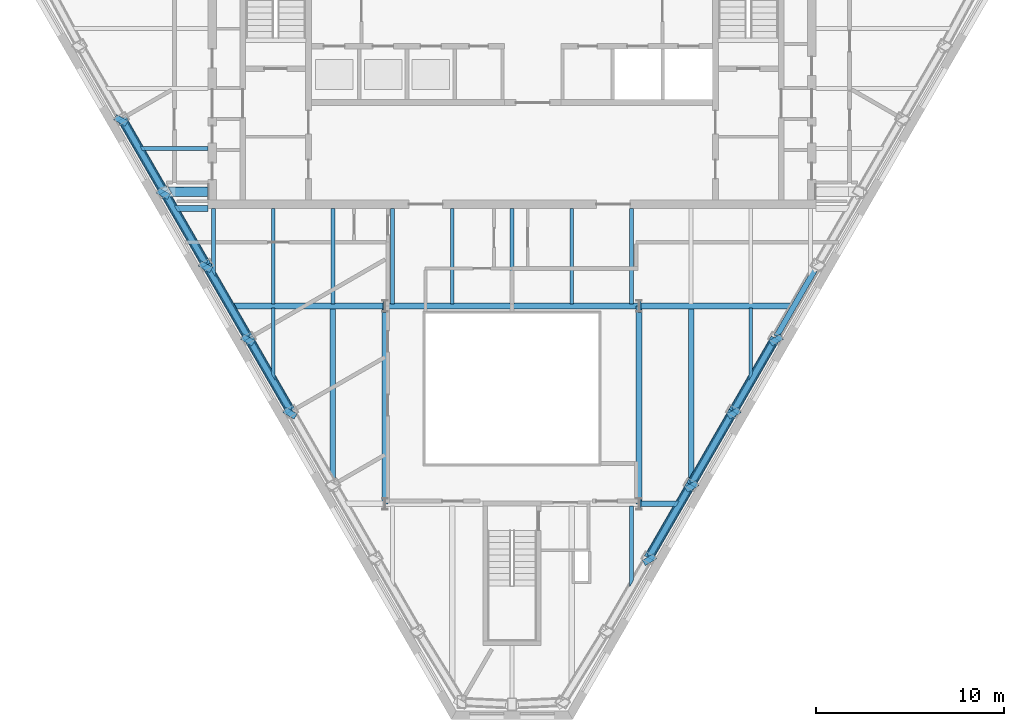
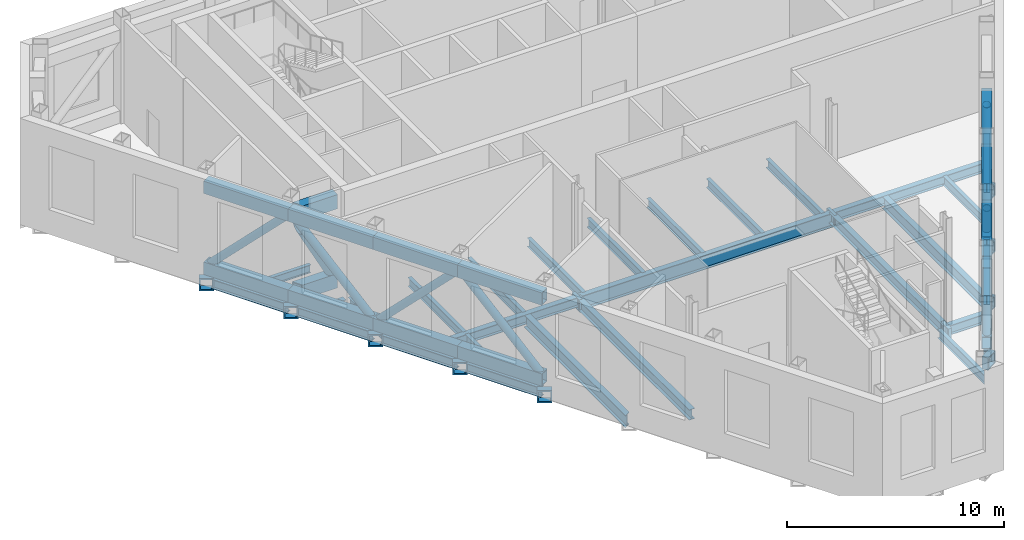
# One storey, part 3 of 14: 41 beams, 24 members.
"""IFC4 building model written with IfcOpenShell, lengths in metres."""

from ifc_helpers import new_model, si_unit, direction, frame, origin, origin_2d, place, context, subcontext, project, spatial, hollow_rectangle, hollow_circle, i_section, extrude, clip, halfspace, material, material_profile, profile_set, type_object, element, save


model = new_model("IFC4")

# Units and contexts
model_context = context("Model", 3, precision=1e-05, world=origin(), true_north=direction((0.0, 1.0)))
body_context = subcontext(model_context, "Body", "Model", "MODEL_VIEW")
ifc_project = project(units=[si_unit("LENGTHUNIT", "METRE"), si_unit("AREAUNIT", "SQUARE_METRE"), si_unit("VOLUMEUNIT", "CUBIC_METRE"), si_unit("PLANEANGLEUNIT", "RADIAN"), si_unit("MASSUNIT", "GRAM", prefix="KILO")], contexts=[model_context])

# Site, building, storey
site_placement = place(None, origin())
site = spatial("IfcSite", under=ifc_project, at=site_placement, CompositionType="ELEMENT")
building_placement = place(site_placement, origin())
building = spatial("IfcBuilding", under=site, at=building_placement, Name="Njiva Tower", CompositionType="ELEMENT")
storey_placement = place(building_placement, frame((0.0, 0.0, 239.4)))
storey = spatial("IfcBuildingStorey", under=building, at=storey_placement, Name="L54", CompositionType="ELEMENT", Elevation=239.4)

# Beams
ifc_material_1 = material(Name="Steel S355 J2", Category="steel")
ifc_material_profile_1 = material_profile(ifc_material_1, hollow_rectangle(XDim=0.7, YDim=0.7, WallThickness=0.08, at=origin_2d()), Name="BOX 700x700x80")
ifc_profile_set_1 = profile_set([ifc_material_profile_1], Name="Steel S355 J2")
beam_type_1 = type_object("IfcBeamType", Name="B19 Column jog beam BOX 700x700x80", PredefinedType="BEAM", material=ifc_profile_set_1)
for number, where, z_axis, x_axis, name in (
    (1, (-20.934, 6.557, -0.55), (0.488509809828, 0.872558402459, 0.0), (-0.872558402459, 0.488509809828, 0.0), "Column jog beam T4-B020"),
    (2, (-18.68, 2.654, -0.55), (0.488509809828, 0.872558402459, 0.0), (-0.872558402459, 0.488509809828, 0.0), "Column jog beam T4-B021"),
):
    element("IfcBeam", number, at=place(storey_placement, frame(where, z_axis=z_axis, x_axis=x_axis)), inside=storey, type_object=beam_type_1, Name=name, PredefinedType="BEAM", context=body_context, shape_type="SweptSolid", body=[
        extrude(hollow_rectangle(XDim=0.7, YDim=0.7, WallThickness=0.08, at=origin_2d()), origin(), (0.0, 0.0, 1.0), 0.3255),
    ])
beam_1_placement = place(storey_placement, frame((-16.428, -1.248, -0.55), z_axis=(0.498124460568, 0.867105542471, 0.0), x_axis=(-0.867105542471, 0.498124460568, 0.0)))
element("IfcBeam", 3, at=beam_1_placement, inside=storey, type_object=beam_type_1, Name="Column jog beam T4-B022", PredefinedType="BEAM", context=body_context, shape_type="SweptSolid", body=[
    extrude(hollow_rectangle(XDim=0.7, YDim=0.7, WallThickness=0.08, at=origin_2d()), origin(), (0.0, 0.0, 1.0), 0.3252),
])
for number, where, z_axis, x_axis, name in (
    (4, (-14.175, -5.151, -0.55), (0.501764157718, 0.865004468214, 0.0), (-0.865004468214, 0.501764157718, 0.0), "Column jog beam T4-B023"),
    (5, (-11.921, -9.054, -0.55), (0.501764157718, 0.865004468214, 0.0), (-0.865004468214, 0.501764157718, 0.0), "Column jog beam T4-B024"),
):
    element("IfcBeam", number, at=place(storey_placement, frame(where, z_axis=z_axis, x_axis=x_axis)), inside=storey, type_object=beam_type_1, Name=name, PredefinedType="BEAM", context=body_context, shape_type="SweptSolid", body=[
        extrude(hollow_rectangle(XDim=0.7, YDim=0.7, WallThickness=0.08, at=origin_2d()), origin(), (0.0, 0.0, 1.0), 0.3249),
    ])
beam_2_placement = place(storey_placement, frame((7.416, -16.86, -0.55), z_axis=(-0.511321392938, 0.859389570058, 0.0), x_axis=(-0.859389570058, -0.511321392938, 0.0)))
element("IfcBeam", 6, at=beam_2_placement, inside=storey, type_object=beam_type_1, Name="Column jog beam T4-B036", PredefinedType="BEAM", context=body_context, shape_type="SweptSolid", body=[
    extrude(hollow_rectangle(XDim=0.7, YDim=0.7, WallThickness=0.08, at=origin_2d()), origin(), (0.0, 0.0, 1.0), 0.3246),
])
beam_3_placement = place(storey_placement, frame((9.668, -12.957, -0.55), z_axis=(-0.503103193973, 0.864226345475, 0.0), x_axis=(-0.864226345475, -0.503103193973, 0.0)))
element("IfcBeam", 7, at=beam_3_placement, inside=storey, type_object=beam_type_1, Name="Column jog beam T4-B037", PredefinedType="BEAM", context=body_context, shape_type="SweptSolid", body=[
    extrude(hollow_rectangle(XDim=0.7, YDim=0.7, WallThickness=0.08, at=origin_2d()), origin(), (0.0, 0.0, 1.0), 0.324),
])
for number, where, z_axis, x_axis, name in (
    (8, (11.921, -9.054, -0.55), (-0.501764157718, 0.865004468214, 0.0), (-0.865004468214, -0.501764157718, 0.0), "Column jog beam T4-B038"),
    (9, (14.175, -5.151, -0.55), (-0.501764157718, 0.865004468214, 0.0), (-0.865004468214, -0.501764157718, 0.0), "Column jog beam T4-B039"),
):
    element("IfcBeam", number, at=place(storey_placement, frame(where, z_axis=z_axis, x_axis=x_axis)), inside=storey, type_object=beam_type_1, Name=name, PredefinedType="BEAM", context=body_context, shape_type="SweptSolid", body=[
        extrude(hollow_rectangle(XDim=0.7, YDim=0.7, WallThickness=0.08, at=origin_2d()), origin(), (0.0, 0.0, 1.0), 0.3249),
    ])
for number, where, z_axis, x_axis, name in (
    (10, (6.88, -3.2, -0.55), (-1.0, 0.0, 0.0), (0.0, -1.0, 0.0), "Column jog beam T4-B035"),
    (11, (-6.88, -3.2, -0.55), (1.0, 0.0, 0.0), (0.0, 1.0, 0.0), "Column jog beam T4-B028"),
    (12, (6.88, -13.75, -0.55), (-1.0, 0.0, 0.0), (0.0, -1.0, 0.0), "Column jog beam T4-B034"),
):
    element("IfcBeam", number, at=place(storey_placement, frame(where, z_axis=z_axis, x_axis=x_axis)), inside=storey, type_object=beam_type_1, Name=name, PredefinedType="BEAM", context=body_context, shape_type="SweptSolid", body=[
        extrude(hollow_rectangle(XDim=0.7, YDim=0.7, WallThickness=0.08, at=origin_2d()), origin(), (0.0, 0.0, 1.0), 0.17),
    ])
ifc_material_profile_2 = material_profile(ifc_material_1, i_section(OverallWidth=0.3, OverallDepth=0.69, WebThickness=0.0145, FlangeThickness=0.027, at=origin_2d()), Name="HEA 700")
ifc_profile_set_2 = profile_set([ifc_material_profile_2], Name="Steel S355 J2")
beam_type_2 = type_object("IfcBeamType", Name="B26 Floor joist HEA 700", PredefinedType="JOIST", material=ifc_profile_set_2)
beam_4_placement = place(storey_placement, frame((-9.55, -3.3, -0.545), z_axis=(0.0, -1.0, 0.0), x_axis=(1.0, 0.0, 0.0)))
element("IfcBeam", 13, at=beam_4_placement, inside=storey, type_object=beam_type_2, Name="Floor joist T4-B049", PredefinedType="JOIST", context=body_context, shape_type="Clipping", body=[
    clip(extrude(i_section(OverallWidth=0.3, OverallDepth=0.69, WebThickness=0.0145, FlangeThickness=0.027, at=origin_2d()), origin(), (0.0, 0.0, 1.0), 9.372), halfspace(frame((0.025, 0.0, 9.28), z_axis=(0.499998009787, 0.0, 0.866026552831), x_axis=(0.0, 1.0, 0.0)), False)),
])
beam_5_placement = place(storey_placement, frame((9.55, -3.3, -0.545), z_axis=(0.0, -1.0, 0.0), x_axis=(1.0, 0.0, 0.0)))
element("IfcBeam", 14, at=beam_5_placement, inside=storey, type_object=beam_type_2, Name="Floor joist T4-B061", PredefinedType="JOIST", context=body_context, shape_type="Clipping", body=[
    clip(extrude(i_section(OverallWidth=0.3, OverallDepth=0.69, WebThickness=0.0145, FlangeThickness=0.027, at=origin_2d()), origin(), (0.0, 0.0, 1.0), 9.372), halfspace(frame((-0.025, 0.0, 9.28), z_axis=(-0.499998009787, 0.0, 0.866026552831), x_axis=(0.0, 1.0, 0.0)), False)),
])
ifc_material_profile_3 = material_profile(ifc_material_1, i_section(OverallWidth=0.3, OverallDepth=0.59, WebThickness=0.013, FlangeThickness=0.025, at=origin_2d()), Name="HEA 600")
ifc_profile_set_3 = profile_set([ifc_material_profile_3], Name="Steel S355 J2")
beam_type_3 = type_object("IfcBeamType", Name="B30 Long-span atrium trimmer beam HEA 600", PredefinedType="BEAM", material=ifc_profile_set_3)
for number, where, z_axis, x_axis, name in (
    (15, (6.77, -13.75, -0.495), (0.0, 1.0, 0.0), (-1.0, 0.0, 0.0), "Long-span atrium trimmer beam T4-B069"),
    (16, (-6.77, -3.2, -0.495), (0.0, -1.0, 0.0), (1.0, 0.0, 0.0), "Long-span atrium trimmer beam T4-B066"),
):
    element("IfcBeam", number, at=place(storey_placement, frame(where, z_axis=z_axis, x_axis=x_axis)), inside=storey, type_object=beam_type_3, Name=name, PredefinedType="BEAM", context=body_context, shape_type="SweptSolid", body=[
        extrude(i_section(OverallWidth=0.3, OverallDepth=0.59, WebThickness=0.013, FlangeThickness=0.025, at=origin_2d()), origin(), (0.0, 0.0, 1.0), 10.55),
    ])
ifc_material_profile_4 = material_profile(ifc_material_1, i_section(OverallWidth=0.19, OverallDepth=0.45, WebThickness=0.0094, FlangeThickness=0.0146, at=origin_2d()), Name="IPE 450")
ifc_profile_set_4 = profile_set([ifc_material_profile_4], Name="Steel S355 J2")
beam_type_4 = type_object("IfcBeamType", Name="B38 Short-span floor beam to the core IPE 450", PredefinedType="BEAM", material=ifc_profile_set_4)
beam_6_placement = place(storey_placement, frame((-19.846, 5.2, -0.425), z_axis=(1.0, 0.0, 0.0), x_axis=(0.0, 1.0, 0.0)))
element("IfcBeam", 17, at=beam_6_placement, inside=storey, type_object=beam_type_4, Name="Short-span floor beam to the core T4-B005", PredefinedType="BEAM", context=body_context, shape_type="Clipping", body=[
    clip(extrude(i_section(OverallWidth=0.19, OverallDepth=0.45, WebThickness=0.0094, FlangeThickness=0.0146, at=origin_2d()), origin(), (0.0, 0.0, 1.0), 3.646), halfspace(frame((-0.025, 0.0, 0.0899), z_axis=(-0.499998009787, 0.0, -0.866026552831), x_axis=(0.0, -1.0, 0.0)), False)),
])
ifc_material_profile_5 = material_profile(ifc_material_1, i_section(OverallWidth=0.3, OverallDepth=0.54, WebThickness=0.0125, FlangeThickness=0.024, at=origin_2d()), Name="HEA 550")
ifc_profile_set_5 = profile_set([ifc_material_profile_5], Name="Steel S355 J2")
beam_type_5 = type_object("IfcBeamType", Name="B39 Short-span spandrel beam HEA 550", PredefinedType="SPANDREL", material=ifc_profile_set_5)
for number, where, z_axis, x_axis, name in (
    (18, (-20.638, 6.503, -0.47), (0.499957196903, -0.866050114754, 0.0), (0.866050114754, 0.499957196903, 0.0), "Short-span spandrel beam T4-B075"),
    (19, (-18.385, 2.6, -0.47), (0.499957196903, -0.866050114754, 0.0), (0.866050114754, 0.499957196903, 0.0), "Short-span spandrel beam T4-B076"),
    (20, (-16.132, -1.302, -0.47), (0.499957196903, -0.866050114754, 0.0), (0.866050114754, 0.499957196903, 0.0), "Short-span spandrel beam T4-B078"),
):
    element("IfcBeam", number, at=place(storey_placement, frame(where, z_axis=z_axis, x_axis=x_axis)), inside=storey, type_object=beam_type_5, Name=name, PredefinedType="SPANDREL", context=body_context, shape_type="SweptSolid", body=[
        extrude(i_section(OverallWidth=0.3, OverallDepth=0.54, WebThickness=0.0125, FlangeThickness=0.024, at=origin_2d()), origin(), (0.0, 0.0, 1.0), 4.0563),
    ])
beam_7_placement = place(storey_placement, frame((-13.879, -5.205, -0.47), z_axis=(0.500035331196, -0.866005004348, 0.0), x_axis=(0.866005004348, 0.500035331196, 0.0)))
element("IfcBeam", 21, at=beam_7_placement, inside=storey, type_object=beam_type_5, Name="Short-span spandrel beam T4-B079", PredefinedType="SPANDREL", context=body_context, shape_type="SweptSolid", body=[
    extrude(i_section(OverallWidth=0.3, OverallDepth=0.54, WebThickness=0.0125, FlangeThickness=0.024, at=origin_2d()), origin(), (0.0, 0.0, 1.0), 4.0577),
])
beam_8_placement = place(storey_placement, frame((7.343, -16.524, -0.47), z_axis=(0.500142068684, 0.865943364853, 0.0), x_axis=(-0.865943364853, 0.500142068684, 0.0)))
element("IfcBeam", 22, at=beam_8_placement, inside=storey, type_object=beam_type_5, Name="Short-span spandrel beam T4-B093", PredefinedType="SPANDREL", context=body_context, shape_type="SweptSolid", body=[
    extrude(i_section(OverallWidth=0.3, OverallDepth=0.54, WebThickness=0.0125, FlangeThickness=0.024, at=origin_2d()), origin(), (0.0, 0.0, 1.0), 4.0568),
])
beam_9_placement = place(storey_placement, frame((9.597, -12.621, -0.47), z_axis=(0.499957196903, 0.866050114754, 0.0), x_axis=(-0.866050114754, 0.499957196903, 0.0)))
element("IfcBeam", 23, at=beam_9_placement, inside=storey, type_object=beam_type_5, Name="Short-span spandrel beam T4-B095", PredefinedType="SPANDREL", context=body_context, shape_type="SweptSolid", body=[
    extrude(i_section(OverallWidth=0.3, OverallDepth=0.54, WebThickness=0.0125, FlangeThickness=0.024, at=origin_2d()), origin(), (0.0, 0.0, 1.0), 4.0563),
])
beam_10_placement = place(storey_placement, frame((11.85, -8.719, -0.47), z_axis=(0.500035331196, 0.866005004348, 0.0), x_axis=(-0.866005004348, 0.500035331196, 0.0)))
element("IfcBeam", 24, at=beam_10_placement, inside=storey, type_object=beam_type_5, Name="Short-span spandrel beam T4-B096", PredefinedType="SPANDREL", context=body_context, shape_type="SweptSolid", body=[
    extrude(i_section(OverallWidth=0.3, OverallDepth=0.54, WebThickness=0.0125, FlangeThickness=0.024, at=origin_2d()), origin(), (0.0, 0.0, 1.0), 4.0577),
])
beam_11_placement = place(storey_placement, frame((14.104, -4.815, -0.47), z_axis=(0.499957196903, 0.866050114754, 0.0), x_axis=(-0.866050114754, 0.499957196903, 0.0)))
element("IfcBeam", 25, at=beam_11_placement, inside=storey, type_object=beam_type_5, Name="Short-span spandrel beam T4-B098", PredefinedType="SPANDREL", context=body_context, shape_type="SweptSolid", body=[
    extrude(i_section(OverallWidth=0.3, OverallDepth=0.54, WebThickness=0.0125, FlangeThickness=0.024, at=origin_2d()), origin(), (0.0, 0.0, 1.0), 4.0563),
])
ifc_material_profile_6 = material_profile(ifc_material_1, i_section(OverallWidth=0.3, OverallDepth=0.54, WebThickness=0.0125, FlangeThickness=0.024, at=origin_2d()), Name="HEA 550")
ifc_profile_set_6 = profile_set([ifc_material_profile_6], Name="Steel S355 J2")
beam_type_6 = type_object("IfcBeamType", Name="B40 Floor girder HEA 550", PredefinedType="BEAM", material=ifc_profile_set_6)
beam_12_placement = place(storey_placement, frame((-15.028, -3.2, -0.47), z_axis=(1.0, 0.0, 0.0), x_axis=(0.0, 1.0, 0.0)))
element("IfcBeam", 26, at=beam_12_placement, inside=storey, type_object=beam_type_6, Name="Floor girder T4-B012", PredefinedType="BEAM", context=body_context, shape_type="Clipping", body=[
    clip(extrude(i_section(OverallWidth=0.3, OverallDepth=0.54, WebThickness=0.0125, FlangeThickness=0.024, at=origin_2d()), origin(), (0.0, 0.0, 1.0), 8.258), halfspace(frame((-0.025, 0.0, 0.1217), z_axis=(-0.499998009787, 0.0, -0.866026552831), x_axis=(0.0, -1.0, 0.0)), False)),
])
beam_13_placement = place(storey_placement, frame((6.77, -3.2, -0.47), z_axis=(1.0, 0.0, 0.0), x_axis=(0.0, 1.0, 0.0)))
element("IfcBeam", 27, at=beam_13_placement, inside=storey, type_object=beam_type_6, Name="Floor girder T4-B015", PredefinedType="BEAM", context=body_context, shape_type="Clipping", body=[
    clip(extrude(i_section(OverallWidth=0.3, OverallDepth=0.54, WebThickness=0.0125, FlangeThickness=0.024, at=origin_2d()), origin(), (0.0, 0.0, 1.0), 8.258), halfspace(frame((-0.025, 0.0, 8.1363), z_axis=(-0.499998009787, 0.0, 0.866026552831), x_axis=(0.0, 1.0, 0.0)), False)),
])
ifc_material_profile_7 = material_profile(ifc_material_1, i_section(OverallWidth=0.3, OverallDepth=0.54, WebThickness=0.0125, FlangeThickness=0.024, at=origin_2d()), Name="HEA 550")
ifc_profile_set_7 = profile_set([ifc_material_profile_7], Name="Steel S355 J2")
beam_type_7 = type_object("IfcBeamType", Name="B41 Short-span floor girder HEA 550", PredefinedType="BEAM", material=ifc_profile_set_7)
beam_14_placement = place(storey_placement, frame((6.77, -13.75, -0.47), z_axis=(1.0, 0.0, 0.0), x_axis=(0.0, 1.0, 0.0)))
element("IfcBeam", 28, at=beam_14_placement, inside=storey, type_object=beam_type_7, Name="Short-span floor girder T4-B014", PredefinedType="BEAM", context=body_context, shape_type="Clipping", body=[
    clip(extrude(i_section(OverallWidth=0.3, OverallDepth=0.54, WebThickness=0.0125, FlangeThickness=0.024, at=origin_2d()), origin(), (0.0, 0.0, 1.0), 2.167), halfspace(frame((-0.025, 0.0, 2.0453), z_axis=(-0.499998009787, 0.0, 0.866026552831), x_axis=(0.0, 1.0, 0.0)), False)),
])
beam_15_placement = place(storey_placement, frame((-18.03, 2.0, -0.47), z_axis=(1.0, 0.0, 0.0), x_axis=(0.0, 1.0, 0.0)))
element("IfcBeam", 29, at=beam_15_placement, inside=storey, type_object=beam_type_7, Name="Short-span floor girder T4-B011", PredefinedType="BEAM", context=body_context, shape_type="Clipping", body=[
    clip(extrude(i_section(OverallWidth=0.3, OverallDepth=0.54, WebThickness=0.0125, FlangeThickness=0.024, at=origin_2d()), origin(), (0.0, 0.0, 1.0), 1.83), halfspace(frame((-0.025, 0.0, 0.1214), z_axis=(-0.499998009787, 0.0, -0.866026552831), x_axis=(0.0, -1.0, 0.0)), False)),
])
ifc_material_profile_8 = material_profile(ifc_material_1, i_section(OverallWidth=0.2, OverallDepth=0.5, WebThickness=0.0102, FlangeThickness=0.016, at=origin_2d()), Name="IPE 500")
ifc_profile_set_8 = profile_set([ifc_material_profile_8], Name="Steel S355 J2")
beam_type_8 = type_object("IfcBeamType", Name="B42 Short-span floor joist IPE 500", PredefinedType="JOIST", material=ifc_profile_set_8)
beam_16_placement = place(storey_placement, frame((-15.917, 1.995, -0.45), z_axis=(0.0, -1.0, 0.0), x_axis=(1.0, 0.0, 0.0)))
element("IfcBeam", 30, at=beam_16_placement, inside=storey, type_object=beam_type_8, Name="Short-span floor joist T4-B046", PredefinedType="JOIST", context=body_context, shape_type="Clipping", body=[
    clip(extrude(i_section(OverallWidth=0.2, OverallDepth=0.5, WebThickness=0.0102, FlangeThickness=0.016, at=origin_2d()), origin(), (0.0, 0.0, 1.0), 3.663), halfspace(frame((-0.043, 0.0, 3.3951), z_axis=(-0.866026552831, 0.0, 0.499998009787), x_axis=(0.0, 1.0, 0.0)), False)),
])
beam_17_placement = place(storey_placement, frame((-12.733, -3.3, -0.45), z_axis=(0.0, -1.0, 0.0), x_axis=(1.0, 0.0, 0.0)))
element("IfcBeam", 31, at=beam_17_placement, inside=storey, type_object=beam_type_8, Name="Short-span floor joist T4-B047", PredefinedType="JOIST", context=body_context, shape_type="Clipping", body=[
    clip(extrude(i_section(OverallWidth=0.2, OverallDepth=0.5, WebThickness=0.0102, FlangeThickness=0.016, at=origin_2d()), origin(), (0.0, 0.0, 1.0), 3.882), halfspace(frame((-0.0436, 0.0, 3.6138), z_axis=(-0.866026552831, 0.0, 0.499998009787), x_axis=(0.0, 1.0, 0.0)), False)),
])
beam_18_placement = place(storey_placement, frame((6.367, -13.85, -0.45), z_axis=(0.0, -1.0, 0.0), x_axis=(1.0, 0.0, 0.0)))
element("IfcBeam", 32, at=beam_18_placement, inside=storey, type_object=beam_type_8, Name="Short-span floor joist T4-B059", PredefinedType="JOIST", context=body_context, shape_type="Clipping", body=[
    clip(extrude(i_section(OverallWidth=0.2, OverallDepth=0.5, WebThickness=0.0102, FlangeThickness=0.016, at=origin_2d()), origin(), (0.0, 0.0, 1.0), 4.359), halfspace(frame((0.043, 0.0, 4.0911), z_axis=(0.866026552831, 0.0, 0.499998009787), x_axis=(0.0, 1.0, 0.0)), False)),
])
beam_19_placement = place(storey_placement, frame((12.733, -3.3, -0.45), z_axis=(0.0, -1.0, 0.0), x_axis=(1.0, 0.0, 0.0)))
element("IfcBeam", 33, at=beam_19_placement, inside=storey, type_object=beam_type_8, Name="Short-span floor joist T4-B063", PredefinedType="JOIST", context=body_context, shape_type="Clipping", body=[
    clip(extrude(i_section(OverallWidth=0.2, OverallDepth=0.5, WebThickness=0.0102, FlangeThickness=0.016, at=origin_2d()), origin(), (0.0, 0.0, 1.0), 3.882), halfspace(frame((0.0436, 0.0, 3.6138), z_axis=(0.866026552831, 0.0, 0.499998009787), x_axis=(0.0, 1.0, 0.0)), False)),
])
ifc_material_profile_9 = material_profile(ifc_material_1, i_section(OverallWidth=0.2, OverallDepth=0.5, WebThickness=0.0102, FlangeThickness=0.016, at=origin_2d()), Name="IPE 500")
ifc_profile_set_9 = profile_set([ifc_material_profile_9], Name="Steel S355 J2")
beam_type_9 = type_object("IfcBeamType", Name="B43 Floor joist IPE 500", PredefinedType="JOIST", material=ifc_profile_set_9)
for number, where, z_axis, x_axis, name in (
    (34, (-12.733, 1.995, -0.45), (0.0, -1.0, 0.0), (1.0, 0.0, 0.0), "Floor joist T4-B048"),
    (35, (-9.55, 1.995, -0.45), (0.0, -1.0, 0.0), (1.0, 0.0, 0.0), "Floor joist T4-B050"),
    (36, (-6.367, 1.995, -0.45), (0.0, -1.0, 0.0), (1.0, 0.0, 0.0), "Floor joist T4-B052"),
    (37, (-3.183, 1.995, -0.45), (0.0, -1.0, 0.0), (1.0, 0.0, 0.0), "Floor joist T4-B054"),
    (38, (0.0, 1.995, -0.45), (0.0, -1.0, 0.0), (1.0, 0.0, 0.0), "Floor joist T4-B056"),
    (39, (3.183, 1.995, -0.45), (0.0, -1.0, 0.0), (1.0, 0.0, 0.0), "Floor joist T4-B058"),
    (40, (6.367, 1.995, -0.45), (0.0, -1.0, 0.0), (1.0, 0.0, 0.0), "Floor joist T4-B060"),
):
    element("IfcBeam", number, at=place(storey_placement, frame(where, z_axis=z_axis, x_axis=x_axis)), inside=storey, type_object=beam_type_9, Name=name, PredefinedType="JOIST", context=body_context, shape_type="SweptSolid", body=[
        extrude(i_section(OverallWidth=0.2, OverallDepth=0.5, WebThickness=0.0102, FlangeThickness=0.016, at=origin_2d()), origin(), (0.0, 0.0, 1.0), 5.095),
    ])
ifc_material_profile_10 = material_profile(ifc_material_1, i_section(OverallWidth=0.3, OverallDepth=0.79, WebThickness=0.015, FlangeThickness=0.028, at=origin_2d()), Name="HEA 800")
ifc_profile_set_10 = profile_set([ifc_material_profile_10], Name="Steel S355 J2")
beam_type_10 = type_object("IfcBeamType", Name="B9 Long-span atrium trimmer beam HEA 800", PredefinedType="BEAM", material=ifc_profile_set_10)
beam_20_placement = place(storey_placement, frame((6.77, -3.2, -0.595), z_axis=(-1.0, 0.0, 0.0), x_axis=(0.0, -1.0, 0.0)))
element("IfcBeam", 41, at=beam_20_placement, inside=storey, type_object=beam_type_10, Name="Long-span atrium trimmer beam T4-B068", PredefinedType="BEAM", context=body_context, shape_type="SweptSolid", body=[
    extrude(i_section(OverallWidth=0.3, OverallDepth=0.79, WebThickness=0.015, FlangeThickness=0.028, at=origin_2d()), origin(), (0.0, 0.0, 1.0), 13.54),
])

# Members
ifc_material_profile_11 = material_profile(ifc_material_1, hollow_rectangle(XDim=0.5, YDim=0.8, WallThickness=0.05, at=origin_2d()), Name="BOX 800x500x50")
ifc_profile_set_11 = profile_set([ifc_material_profile_11], Name="Steel S355 J2")
member_type_1 = type_object("IfcMemberType", Name="OR1 Outrigger truss chord BOX 800x500x50", PredefinedType="CHORD", material=ifc_profile_set_11)
for number, where, z_axis, x_axis, name in (
    (42, (-16.2, 2.886, 0.4), (-1.0, 0.0, 0.0), (0.0, -1.0, 0.0), "Outrigger truss chord T4-TR109"),
    (43, (-16.2, 2.886, 4.86), (-1.0, 0.0, 0.0), (0.0, -1.0, 0.0), "Outrigger truss chord T4-TR110"),
):
    element("IfcMember", number, at=place(storey_placement, frame(where, z_axis=z_axis, x_axis=x_axis)), inside=storey, type_object=member_type_1, Name=name, PredefinedType="CHORD", context=body_context, shape_type="Clipping", body=[
        clip(extrude(hollow_rectangle(XDim=0.5, YDim=0.8, WallThickness=0.05, at=origin_2d()), origin(), (0.0, 0.0, 1.0), 2.524), halfspace(frame((0.025, 0.0, 1.9892), z_axis=(0.499998009787, 0.0, 0.866026552831), x_axis=(0.0, 1.0, 0.0)), False)),
    ])
ifc_material_2 = material(Name="Steel S355 J2H", Category="steel")
ifc_material_profile_12 = material_profile(ifc_material_2, hollow_circle(Radius=0.254, WallThickness=0.016, at=origin_2d()), Name="CHS 508x16")
ifc_profile_set_12 = profile_set([ifc_material_profile_12], Name="Steel S355 J2H")
member_type_2 = type_object("IfcMemberType", Name="OR2 Outrigger truss diagonal CHS 508x16", PredefinedType="BRACE", material=ifc_profile_set_12)
member_1_placement = place(storey_placement, frame((-15.9604, 2.886, -0.0547), z_axis=(-0.466155159068, 0.0, 0.884702982743), x_axis=(0.0, -1.0, 0.0)))
element("IfcMember", 44, at=member_1_placement, inside=storey, type_object=member_type_2, Name="Outrigger truss diagonal T4-TR111", PredefinedType="BRACE", context=body_context, shape_type="Clipping", body=[
    clip(clip(clip(clip(extrude(hollow_circle(Radius=0.254, WallThickness=0.016, at=origin_2d()), origin(), (0.0, 0.0, 1.0), 6.1632), halfspace(frame((2.886, 14.514, -6.6927), z_axis=(0.0, -0.466155159068, -0.884702982743), x_axis=(0.0, -0.884702982743, 0.466155159068)), False)), halfspace(frame((0.0, -111.784, -211.6378), z_axis=(0.0, 0.884702982743, -0.466155159068), x_axis=(0.0, -0.466155159068, -0.884702982743)), False)), halfspace(frame((2.886, 16.2294, -3.437), z_axis=(0.0, 0.466155159068, 0.884702982743), x_axis=(0.0, 0.884702982743, -0.466155159068)), False)), halfspace(frame((0.025, 0.3192, 5.3871), z_axis=(0.499998009787, -0.766176274424, 0.403702745493), x_axis=(0.0, 0.466155159068, 0.884702982743)), False)),
])
ifc_material_profile_13 = material_profile(ifc_material_1, hollow_rectangle(XDim=0.5, YDim=0.7, WallThickness=0.04, at=origin_2d()), Name="BOX 700x500x40")
ifc_profile_set_13 = profile_set([ifc_material_profile_13], Name="Steel S355 J2")
member_type_3 = type_object("IfcMemberType", Name="TC2 Belt truss chord BOX 700x500x40", PredefinedType="CHORD", material=ifc_profile_set_13)
for number, where, z_axis, x_axis, name in (
    (45, (-20.804, 6.789, 0.35), (0.50010015525, -0.865967571402, 0.0), (0.865967571402, 0.50010015525, 0.0), "Belt truss chord T4-TR043"),
    (46, (-20.804, 6.789, 4.91), (0.50010015525, -0.865967571402, 0.0), (0.865967571402, 0.50010015525, 0.0), "Belt truss chord T4-TR044"),
):
    element("IfcMember", number, at=place(storey_placement, frame(where, z_axis=z_axis, x_axis=x_axis)), inside=storey, type_object=member_type_3, Name=name, PredefinedType="CHORD", context=body_context, shape_type="SweptSolid", body=[
        extrude(hollow_rectangle(XDim=0.5, YDim=0.7, WallThickness=0.04, at=origin_2d()), origin(), (0.0, 0.0, 1.0), 4.5071),
    ])
for number, where, z_axis, x_axis, name in (
    (47, (-18.55, 2.886, 0.35), (0.500004084281, -0.866023045711, 0.0), (0.866023045711, 0.500004084281, 0.0), "Belt truss chord T4-TR046"),
    (48, (-18.55, 2.886, 4.91), (0.500004084281, -0.866023045711, 0.0), (0.866023045711, 0.500004084281, 0.0), "Belt truss chord T4-TR047"),
    (49, (-16.296, -1.018, 0.35), (0.500004084281, -0.866023045711, 0.0), (0.866023045711, 0.500004084281, 0.0), "Belt truss chord T4-TR049"),
    (50, (-16.296, -1.018, 4.91), (0.500004084281, -0.866023045711, 0.0), (0.866023045711, 0.500004084281, 0.0), "Belt truss chord T4-TR050"),
):
    element("IfcMember", number, at=place(storey_placement, frame(where, z_axis=z_axis, x_axis=x_axis)), inside=storey, type_object=member_type_3, Name=name, PredefinedType="CHORD", context=body_context, shape_type="SweptSolid", body=[
        extrude(hollow_rectangle(XDim=0.5, YDim=0.7, WallThickness=0.04, at=origin_2d()), origin(), (0.0, 0.0, 1.0), 4.508),
    ])
for number, where, z_axis, x_axis, name in (
    (51, (-14.042, -4.922, 0.35), (0.50010015525, -0.865967571402, 0.0), (0.865967571402, 0.50010015525, 0.0), "Belt truss chord T4-TR052"),
    (52, (-14.042, -4.922, 4.91), (0.50010015525, -0.865967571402, 0.0), (0.865967571402, 0.50010015525, 0.0), "Belt truss chord T4-TR053"),
):
    element("IfcMember", number, at=place(storey_placement, frame(where, z_axis=z_axis, x_axis=x_axis)), inside=storey, type_object=member_type_3, Name=name, PredefinedType="CHORD", context=body_context, shape_type="SweptSolid", body=[
        extrude(hollow_rectangle(XDim=0.5, YDim=0.7, WallThickness=0.04, at=origin_2d()), origin(), (0.0, 0.0, 1.0), 4.5071),
    ])
for number, where, z_axis, x_axis, name in (
    (53, (7.281, -16.633, 0.35), (0.500004084281, 0.866023045711, 0.0), (-0.866023045711, 0.500004084281, 0.0), "Belt truss chord T4-TR079"),
    (54, (7.281, -16.633, 4.91), (0.500004084281, 0.866023045711, 0.0), (-0.866023045711, 0.500004084281, 0.0), "Belt truss chord T4-TR080"),
):
    element("IfcMember", number, at=place(storey_placement, frame(where, z_axis=z_axis, x_axis=x_axis)), inside=storey, type_object=member_type_3, Name=name, PredefinedType="CHORD", context=body_context, shape_type="SweptSolid", body=[
        extrude(hollow_rectangle(XDim=0.5, YDim=0.7, WallThickness=0.04, at=origin_2d()), origin(), (0.0, 0.0, 1.0), 4.508),
    ])
for number, where, z_axis, x_axis, name in (
    (55, (9.535, -12.729, 0.35), (0.499837685251, 0.86611909597, 0.0), (-0.86611909597, 0.499837685251, 0.0), "Belt truss chord T4-TR082"),
    (56, (9.535, -12.729, 4.91), (0.499837685251, 0.86611909597, 0.0), (-0.86611909597, 0.499837685251, 0.0), "Belt truss chord T4-TR083"),
):
    element("IfcMember", number, at=place(storey_placement, frame(where, z_axis=z_axis, x_axis=x_axis)), inside=storey, type_object=member_type_3, Name=name, PredefinedType="CHORD", context=body_context, shape_type="SweptSolid", body=[
        extrude(hollow_rectangle(XDim=0.5, YDim=0.7, WallThickness=0.04, at=origin_2d()), origin(), (0.0, 0.0, 1.0), 4.5075),
    ])
for number, where, z_axis, x_axis, name in (
    (57, (11.788, -8.825, 0.35), (0.50010015525, 0.865967571402, 0.0), (-0.865967571402, 0.50010015525, 0.0), "Belt truss chord T4-TR085"),
    (58, (11.788, -8.825, 4.91), (0.50010015525, 0.865967571402, 0.0), (-0.865967571402, 0.50010015525, 0.0), "Belt truss chord T4-TR086"),
):
    element("IfcMember", number, at=place(storey_placement, frame(where, z_axis=z_axis, x_axis=x_axis)), inside=storey, type_object=member_type_3, Name=name, PredefinedType="CHORD", context=body_context, shape_type="SweptSolid", body=[
        extrude(hollow_rectangle(XDim=0.5, YDim=0.7, WallThickness=0.04, at=origin_2d()), origin(), (0.0, 0.0, 1.0), 4.5071),
    ])
ifc_material_profile_14 = material_profile(ifc_material_2, hollow_circle(Radius=0.2032, WallThickness=0.016, at=origin_2d()), Name="CHS 406.4x16")
ifc_profile_set_14 = profile_set([ifc_material_profile_14], Name="Steel S355 J2H")
member_type_4 = type_object("IfcMemberType", Name="TD2 Belt truss diagonal CHS 406.4x16", PredefinedType="BRACE", material=ifc_profile_set_14)
member_2_placement = place(storey_placement, frame((-20.8859, 6.9308, 0.1843), z_axis=(0.351554973965, -0.608748475327, 0.711220355493), x_axis=(0.865967571402, 0.50010015525, 0.0)))
element("IfcMember", 59, at=member_2_placement, inside=storey, type_object=member_type_4, Name="Belt truss diagonal T4-TR045", PredefinedType="BRACE", context=body_context, shape_type="Clipping", body=[
    clip(clip(extrude(hollow_circle(Radius=0.2032, WallThickness=0.016, at=origin_2d()), origin(), (0.0, 0.0, 1.0), 6.8775), halfspace(frame((14.6204, -11.3419, 11.9214), z_axis=(0.0, -0.702969135832, -0.711220355493), x_axis=(0.0, -0.711220355493, 0.702969135832)), False)), halfspace(frame((14.6204, -8.6144, 14.6809), z_axis=(0.0, 0.702969135832, 0.711220355493), x_axis=(0.0, 0.711220355493, -0.702969135832)), False)),
])
member_3_placement = place(storey_placement, frame((-18.6319, 3.0279, 5.0757), z_axis=(0.351521595663, -0.608846632417, -0.711152828847), x_axis=(0.866023045711, 0.500004084281, 0.0)))
element("IfcMember", 60, at=member_3_placement, inside=storey, type_object=member_type_4, Name="Belt truss diagonal T4-TR048", PredefinedType="BRACE", context=body_context, shape_type="Clipping", body=[
    clip(clip(extrude(hollow_circle(Radius=0.2032, WallThickness=0.016, at=origin_2d()), origin(), (0.0, 0.0, 1.0), 6.8781), halfspace(frame((14.6217, 8.1344, 8.7526), z_axis=(0.0, 0.703037448521, -0.711152828847), x_axis=(0.0, -0.711152828847, -0.703037448521)), False)), halfspace(frame((14.6217, 5.4066, 11.5119), z_axis=(0.0, -0.703037448521, 0.711152828847), x_axis=(0.0, 0.711152828847, 0.703037448521)), False)),
])
member_4_placement = place(storey_placement, frame((-16.3779, -0.8761, 0.1843), z_axis=(0.351521595663, -0.608846632417, 0.711152828847), x_axis=(0.866023045711, 0.500004084281, 0.0)))
element("IfcMember", 61, at=member_4_placement, inside=storey, type_object=member_type_4, Name="Belt truss diagonal T4-TR051", PredefinedType="BRACE", context=body_context, shape_type="Clipping", body=[
    clip(clip(extrude(hollow_circle(Radius=0.2032, WallThickness=0.016, at=origin_2d()), origin(), (0.0, 0.0, 1.0), 6.8781), halfspace(frame((14.6217, -4.9285, 5.5834), z_axis=(0.0, -0.703037448521, -0.711152828847), x_axis=(0.0, -0.711152828847, 0.703037448521)), False)), halfspace(frame((14.6217, -2.2007, 8.3427), z_axis=(0.0, 0.703037448521, 0.711152828847), x_axis=(0.0, 0.711152828847, -0.703037448521)), False)),
])
member_5_placement = place(storey_placement, frame((-14.1239, -4.7802, 5.0757), z_axis=(0.351554973965, -0.608748475327, -0.711220355493), x_axis=(0.865967571402, 0.50010015525, 0.0)))
element("IfcMember", 62, at=member_5_placement, inside=storey, type_object=member_type_4, Name="Belt truss diagonal T4-TR054", PredefinedType="BRACE", context=body_context, shape_type="Clipping", body=[
    clip(clip(extrude(hollow_circle(Radius=0.2032, WallThickness=0.016, at=origin_2d()), origin(), (0.0, 0.0, 1.0), 6.8775), halfspace(frame((14.6214, 1.724, 2.4151), z_axis=(0.0, 0.702969135832, -0.711220355493), x_axis=(0.0, -0.711220355493, -0.702969135832)), False)), halfspace(frame((14.6214, -1.0035, 5.1746), z_axis=(0.0, -0.702969135832, 0.711220355493), x_axis=(0.0, 0.711220355493, 0.702969135832)), False)),
])
member_6_placement = place(storey_placement, frame((7.1991, -16.7749, 0.1843), z_axis=(0.351521595663, 0.608846632417, 0.711152828847), x_axis=(-0.866023045711, 0.500004084281, 0.0)))
element("IfcMember", 63, at=member_6_placement, inside=storey, type_object=member_type_4, Name="Belt truss diagonal T4-TR081", PredefinedType="BRACE", context=body_context, shape_type="Clipping", body=[
    clip(clip(extrude(hollow_circle(Radius=0.2032, WallThickness=0.016, at=origin_2d()), origin(), (0.0, 0.0, 1.0), 6.8781), halfspace(frame((14.6221, -7.4158, 8.0423), z_axis=(0.0, -0.703037448521, -0.711152828847), x_axis=(0.0, -0.711152828847, 0.703037448521)), False)), halfspace(frame((14.6221, -4.6881, 10.8016), z_axis=(0.0, 0.703037448521, 0.711152828847), x_axis=(0.0, 0.711152828847, -0.703037448521)), False)),
])
member_7_placement = place(storey_placement, frame((9.4531, -12.8709, 5.0757), z_axis=(0.351384900761, 0.60888000558, -0.711191809797), x_axis=(-0.86611909597, 0.499837685251, 0.0)))
element("IfcMember", 64, at=member_7_placement, inside=storey, type_object=member_type_4, Name="Belt truss diagonal T4-TR084", PredefinedType="BRACE", context=body_context, shape_type="Clipping", body=[
    clip(clip(extrude(hollow_circle(Radius=0.2032, WallThickness=0.016, at=origin_2d()), origin(), (0.0, 0.0, 1.0), 6.8778), halfspace(frame((14.6209, 4.2122, 4.8748), z_axis=(0.0, 0.702998015416, -0.711191809797), x_axis=(0.0, -0.711191809797, -0.702998015416)), False)), halfspace(frame((14.6209, 1.4846, 7.6342), z_axis=(0.0, -0.702998015416, 0.711191809797), x_axis=(0.0, 0.711191809797, 0.702998015416)), False)),
])
member_8_placement = place(storey_placement, frame((11.7061, -8.9668, 0.1843), z_axis=(0.351554973965, 0.608748475327, 0.711220355493), x_axis=(-0.865967571402, 0.50010015525, 0.0)))
element("IfcMember", 65, at=member_8_placement, inside=storey, type_object=member_type_4, Name="Belt truss diagonal T4-TR087", PredefinedType="BRACE", context=body_context, shape_type="Clipping", body=[
    clip(clip(extrude(hollow_circle(Radius=0.2032, WallThickness=0.016, at=origin_2d()), origin(), (0.0, 0.0, 1.0), 6.8775), halfspace(frame((14.6214, -1.0035, 1.7029), z_axis=(0.0, -0.702969135832, -0.711220355493), x_axis=(0.0, -0.711220355493, 0.702969135832)), False)), halfspace(frame((14.6214, 1.724, 4.4624), z_axis=(0.0, 0.702969135832, 0.711220355493), x_axis=(0.0, 0.711220355493, -0.702969135832)), False)),
])

save(model, "model.ifc")
